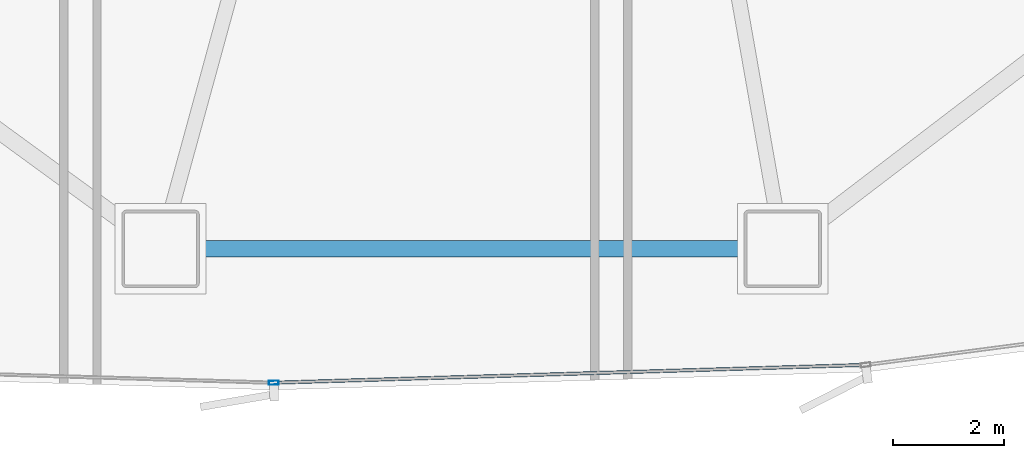
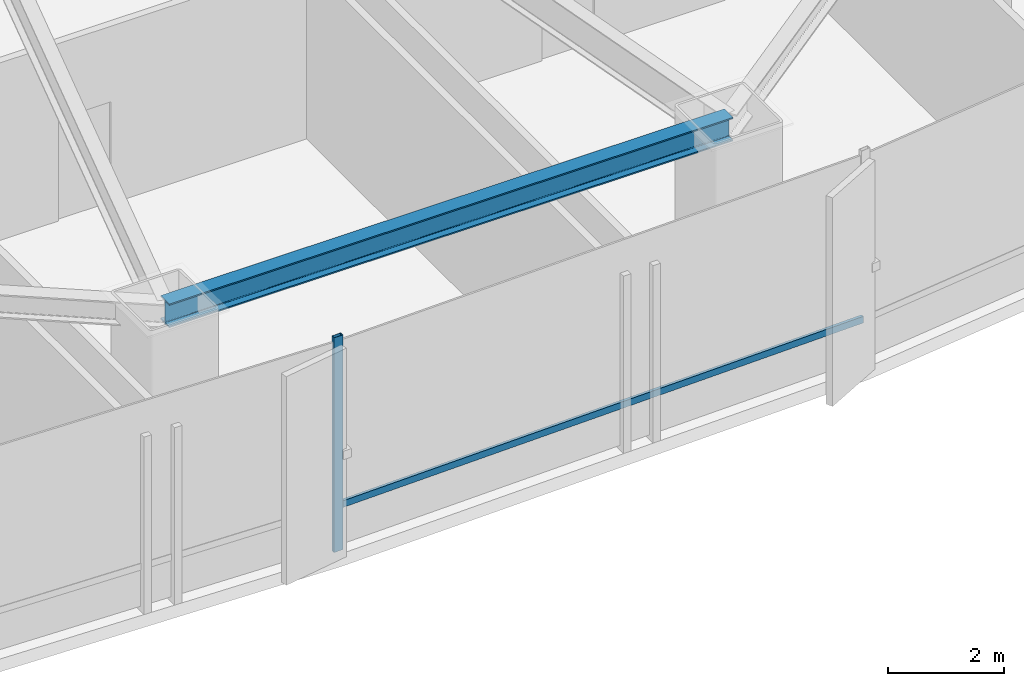
# One storey, part 6 of 34: 2 members, 1 beam, 1 element without a shape of its own.
"""IFC4 building model written with IfcOpenShell, lengths in metres."""

from ifc_helpers import new_model, si_unit, direction, frame, origin, origin_2d, place, context, subcontext, project, spatial, hollow_rectangle, i_section, extrude, source, transform, mapped, material, layer, layer_set, material_profile, profile_set, type_object, element, aggregate, save


model = new_model("IFC4")

# Units and contexts
model_context = context("Model", 3, precision=1e-05, world=origin(), true_north=direction((0.0, 1.0)))
body_context = subcontext(model_context, "Body", "Model", "MODEL_VIEW")
ifc_project = project(units=[si_unit("LENGTHUNIT", "METRE"), si_unit("AREAUNIT", "SQUARE_METRE"), si_unit("VOLUMEUNIT", "CUBIC_METRE"), si_unit("PLANEANGLEUNIT", "RADIAN"), si_unit("MASSUNIT", "GRAM", prefix="KILO"), si_unit("THERMODYNAMICTEMPERATUREUNIT", "KELVIN")], contexts=[model_context])

# Site, building, storey
site_placement = place(None, origin())
site = spatial("IfcSite", under=ifc_project, at=site_placement, CompositionType="ELEMENT")
building_placement = place(site_placement, origin())
building = spatial("IfcBuilding", under=site, at=building_placement, Name="Kethvar Cultural Tower", CompositionType="ELEMENT")
storey_placement = place(building_placement, frame((0.0, 0.0, 14.800048828125)))
storey = spatial("IfcBuildingStorey", under=building, at=storey_placement, Name="L03", CompositionType="ELEMENT", Elevation=14.800048828125)

# Beam
ifc_material_1 = material(Name="Steel S355J2", Category="steel")
ifc_material_profile_1 = material_profile(ifc_material_1, i_section(OverallWidth=0.300048828125, OverallDepth=0.5, WebThickness=0.014404296875, FlangeThickness=0.028076171875, FilletRadius=0.027099609375, at=origin_2d()), Name="Steel S355J2 — HEB500")
ifc_profile_set_1 = profile_set([ifc_material_profile_1], Name="Steel S355J2 — HEB500")
beam_type = type_object("IfcBeamType", Name="BM-SP500", PredefinedType="SPANDREL", material=ifc_profile_set_1)
shared_shape_1 = source(origin(), body_context, "Body", "SweptSolid", [
    extrude(i_section(OverallWidth=0.300048828125, OverallDepth=0.5, WebThickness=0.014404296875, FlangeThickness=0.028076171875, FilletRadius=0.027099609375, at=origin_2d()), origin(), (0.0, 0.0, 1.0), 11.25),
])
beam_placement = place(storey_placement, frame((39.949951171875, 2.75, 4.27783203125), z_axis=(1.0, 0.0, 0.0), x_axis=(0.0, 1.0, 0.0)))
element("IfcBeam", 1, at=beam_placement, inside=storey, type_object=beam_type, Name="L03 Podium Ring Beam 12", PredefinedType="SPANDREL", context=body_context, shape_type="MappedRepresentation", body=[
    mapped(shared_shape_1, transform((0.0, 0.0, 0.0), scale=1.0)),
])

# Curtain wall, members
ifc_material_2 = material(Name="Aluminium 6063-T6", Category="aluminium")
ifc_layer = layer(ifc_material_2, 0.179931640625, Name="Aluminium 6063-T6", Category="aluminium")
ifc_layer_set = layer_set([ifc_layer], Name="Aluminium 6063-T6 (180 mm)")
curtain_wall_type = type_object("IfcCurtainWallType", Name="CW-SYS-01-POD", PredefinedType="NOTDEFINED", material=ifc_layer_set)
curtain_wall_placement = place(storey_placement, origin())
curtain_wall = element("IfcCurtainWall", 2, at=curtain_wall_placement, inside=storey, type_object=curtain_wall_type, Name="L03 Curtain Wall Run 05", PredefinedType="NOTDEFINED")
ifc_material_profile_2 = material_profile(ifc_material_2, hollow_rectangle(XDim=0.06005859375, YDim=0.139892578125, WallThickness=0.0048828125, at=origin_2d()), Name="Aluminium 6063-T6 — RHS140x60x5")
ifc_profile_set_2 = profile_set([ifc_material_profile_2], Name="Aluminium 6063-T6 — RHS140x60x5")
member_type_1 = type_object("IfcMemberType", Name="CW-SYS-01-POD-TRN", PredefinedType="USERDEFINED", material=ifc_profile_set_2)
shared_shape_2 = source(origin(), body_context, "Body", "SweptSolid", [
    extrude(hollow_rectangle(XDim=0.06005859375, YDim=0.139892578125, WallThickness=0.0048828125, at=origin_2d()), origin(), (0.0, 0.0, 1.0), 10.61279296875),
])
member_1_placement = place(storey_placement, frame((42.050048828125, 0.33154296875, 0.949951171875), z_axis=(0.999545810513, 0.030135903608, 0.0), x_axis=(-0.030135903608, 0.999545810513, 0.0)))
member_1 = element("IfcMember", 3, at=member_1_placement, type_object=member_type_1, Name="CW-L03-R05 Transom 2", ObjectType="TRANSOM", PredefinedType="USERDEFINED", context=body_context, shape_type="MappedRepresentation", body=[
    mapped(shared_shape_2, transform((0.0, 0.0, 0.0), scale=1.0)),
])
ifc_material_profile_3 = material_profile(ifc_material_2, hollow_rectangle(XDim=0.074951171875, YDim=0.179931640625, WallThickness=0.006103515625, at=origin_2d()), Name="Aluminium 6063-T6 — RHS180x75x6")
ifc_profile_set_3 = profile_set([ifc_material_profile_3], Name="Aluminium 6063-T6 — RHS180x75x6")
member_type_2 = type_object("IfcMemberType", Name="CW-SYS-01-POD-MUL", PredefinedType="MULLION", material=ifc_profile_set_3)
shared_shape_3 = source(origin(), body_context, "Body", "SweptSolid", [
    extrude(hollow_rectangle(XDim=0.074951171875, YDim=0.179931640625, WallThickness=0.006103515625, at=origin_2d()), origin(), (0.0, 0.0, 1.0), 4.530029296875),
])
member_2_placement = place(storey_placement, frame((41.99609375, 0.329833984375, 0.0), z_axis=(0.0, 0.0, 1.0), x_axis=(-0.030137272261, 0.999545769248, 0.0)))
member_2 = element("IfcMember", 4, at=member_2_placement, type_object=member_type_2, Name="CW-L03-R05 Mullion 2", PredefinedType="MULLION", context=body_context, shape_type="MappedRepresentation", body=[
    mapped(shared_shape_3, transform((0.0, 0.0, 0.0), scale=1.0)),
])
aggregate(curtain_wall, [member_2, member_1])

save(model, "model.ifc")
